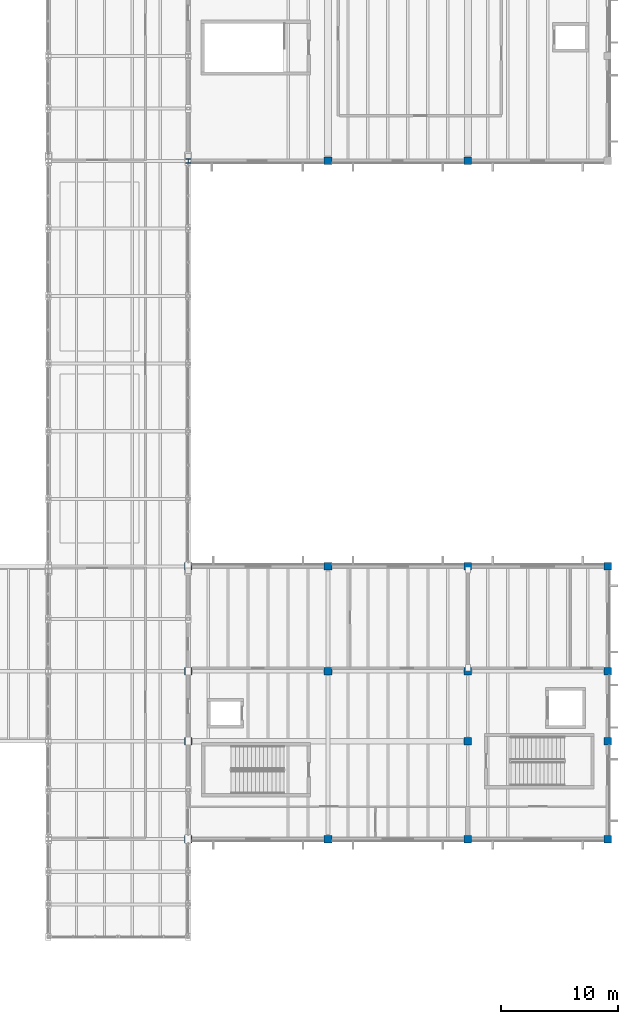
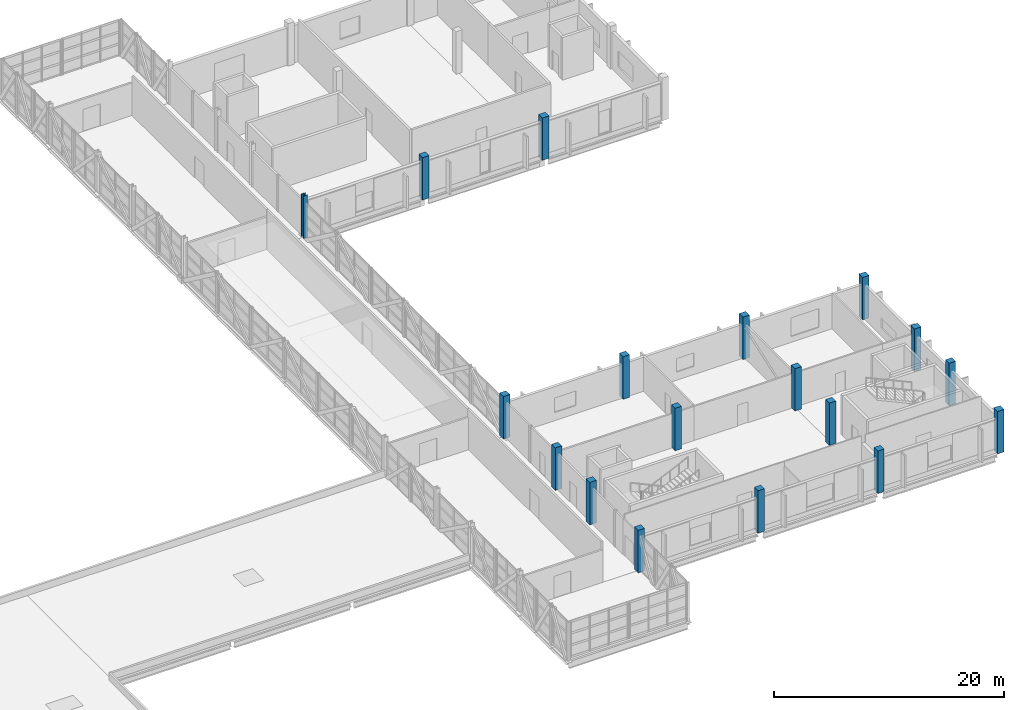
# One storey, part 4 of 63: 18 columns.
"""IFC4 building model written with IfcOpenShell, lengths in metres."""

import ifcopenshell
import ifcopenshell.guid

model = None  # the IFC model being written
_history = None  # IfcOwnerHistory: only IFC2X3 demands one
_inside = {}  # id of a spatial element -> (the spatial element, [elements in it])
_under = {}  # id of a project, library or spatial element -> (it, [spatial elements below it])
_declared = {}  # id of a project -> (the project, [libraries it declares])
_typed = {}  # id of a type object -> (the type object, [elements of that type])
_made_of = {}  # id of a material, layer set ... -> (it, [elements and type objects made of it])


def new_model(schema):
    """Start an empty IFC model of exactly this schema.

    Asked for "IFC4X3", IfcOpenShell would pick the latest addendum, in which some entities
    have other attributes; the version numbers below select the first issue.
    IFC2X3 requires an IfcOwnerHistory on every rooted entity: one is made here for all.
    """
    global model, _history
    if schema == "IFC4X3":
        model = ifcopenshell.file(schema_version=(4, 3, 0, 0))
    else:
        model = ifcopenshell.file(schema=schema)
    _inside.clear()
    _under.clear()
    _declared.clear()
    _typed.clear()
    _made_of.clear()
    _history = None
    if model.schema == "IFC2X3":
        org = make("IfcOrganization", Name="unknown")
        user = make(
            "IfcPersonAndOrganization",
            ThePerson=make("IfcPerson", FamilyName="unknown"),
            TheOrganization=org,
        )
        app = make(
            "IfcApplication",
            ApplicationDeveloper=org,
            Version="unknown",
            ApplicationFullName="unknown",
            ApplicationIdentifier="unknown",
        )
        _history = make(
            "IfcOwnerHistory",
            OwningUser=user,
            OwningApplication=app,
            ChangeAction="ADDED",
            CreationDate=0,
        )
    return model


def make(cls, **values):
    """One entity of the class cls with the attributes given. An attribute that is None is left unset."""
    return model.create_entity(
        cls, **{name: value for name, value in values.items() if value is not None}
    )


def rooted(cls, **values):
    """An entity with a GlobalId (a new one), such as an element, a storey or a relation."""
    return make(cls, GlobalId=ifcopenshell.guid.new(), OwnerHistory=_history, **values)


def si_unit(unit_type, name, prefix=None):
    """IfcSIUnit, for example si_unit("LENGTHUNIT", "METRE", prefix="MILLI")."""
    return make("IfcSIUnit", UnitType=unit_type, Prefix=prefix, Name=name)


def assignment(units):
    """IfcUnitAssignment: the units of a project."""
    return None if units is None else make("IfcUnitAssignment", Units=units)


def point(xyz):
    """IfcCartesianPoint."""
    return None if xyz is None else make("IfcCartesianPoint", Coordinates=xyz)


def direction(xyz):
    """IfcDirection."""
    return None if xyz is None else make("IfcDirection", DirectionRatios=xyz)


def frame(location, z_axis=None, x_axis=None):
    """IfcAxis2Placement3D, a coordinate frame: its origin and axes. An axis left out is left unset."""
    return make(
        "IfcAxis2Placement3D",
        Location=point(location),
        Axis=direction(z_axis),
        RefDirection=direction(x_axis),
    )


def frame_2d(location, x_axis=None):
    """IfcAxis2Placement2D, a coordinate frame in the plane: its origin and x axis."""
    return make(
        "IfcAxis2Placement2D", Location=point(location), RefDirection=direction(x_axis)
    )


def origin():
    """The frame at (0, 0, 0) with its axes left unset."""
    return frame((0.0, 0.0, 0.0))


def origin_2d():
    """The frame at (0, 0) in the plane with its x axis left unset."""
    return frame_2d((0.0, 0.0))


def place(relative_to, where):
    """IfcLocalPlacement: puts the frame where relative to a parent placement (None: the world)."""
    return make(
        "IfcLocalPlacement", PlacementRelTo=relative_to, RelativePlacement=where
    )


def context(
    kind, dimensions, precision=None, world=None, true_north=None, identifier=None
):
    """IfcGeometricRepresentationContext, for example the 3D "Model" context."""
    return make(
        "IfcGeometricRepresentationContext",
        ContextIdentifier=identifier,
        ContextType=kind,
        CoordinateSpaceDimension=dimensions,
        Precision=precision,
        WorldCoordinateSystem=world,
        TrueNorth=true_north,
    )


def subcontext(parent, identifier, kind, view, scale=None):
    """IfcGeometricRepresentationSubContext, for example "Body" below "Model"."""
    return make(
        "IfcGeometricRepresentationSubContext",
        ContextIdentifier=identifier,
        ContextType=kind,
        ParentContext=parent,
        TargetScale=scale,
        TargetView=view,
    )


def project(units=None, contexts=None):
    """IfcProject with its units and contexts."""
    return rooted(
        "IfcProject",
        Name="project",
        RepresentationContexts=contexts,
        UnitsInContext=assignment(units),
    )


def spatial(cls, under=None, at=None, **own):
    """A site, building, storey or space (cls), placed at a placement, below another one or the project."""
    s = rooted(cls, ObjectPlacement=at, **own)
    if under is not None:
        _under.setdefault(under.id(), (under, []))[1].append(s)
    return s


def profile(cls, at=None, kind="AREA", **sizes):
    """A parametric profile (cls). Its sizes go by their IFC names, for example OverallWidth=200.0."""
    return make(cls, ProfileType=kind, Position=at, **sizes)


def rectangle(**sizes):
    """IfcRectangleProfileDef."""
    return profile("IfcRectangleProfileDef", **sizes)


def i_section(**sizes):
    """IfcIShapeProfileDef."""
    return profile("IfcIShapeProfileDef", **sizes)


def extrude(swept, where, along, depth):
    """IfcExtrudedAreaSolid: the profile swept, set in the frame where, extruded along a direction by depth."""
    return make(
        "IfcExtrudedAreaSolid",
        SweptArea=swept,
        Position=where,
        ExtrudedDirection=direction(along),
        Depth=depth,
    )


def shape(context_of_items, identifier, shape_type, items):
    """IfcShapeRepresentation: the items that make up one representation, for example the "Body"."""
    return make(
        "IfcShapeRepresentation",
        ContextOfItems=context_of_items,
        RepresentationIdentifier=identifier,
        RepresentationType=shape_type,
        Items=items,
    )


def material(Name=None, Category=None):
    """IfcMaterial."""
    return make("IfcMaterial", Name=Name, Category=Category)


def material_profile(
    of_material, cross_section, Name=None, Category=None, Priority=None
):
    """IfcMaterialProfile: a cross section and its material."""
    return make(
        "IfcMaterialProfile",
        Name=Name,
        Material=of_material,
        Profile=cross_section,
        Priority=Priority,
        Category=Category,
    )


def profile_set(profiles, Name=None, composite=None):
    """IfcMaterialProfileSet."""
    return make(
        "IfcMaterialProfileSet",
        Name=Name,
        MaterialProfiles=profiles,
        CompositeProfile=composite,
    )


def made_of(thing, what):
    """Note that an element or type object is made of a material, layer set ...; save() writes the relation."""
    if what is not None:
        _made_of.setdefault(what.id(), (what, []))[1].append(thing)
    return thing


def type_object(cls, material=None, **own):
    """A type object (cls), such as IfcWallType, which elements share."""
    return made_of(rooted(cls, **own), material)


def element(
    cls,
    number,
    at=None,
    inside=None,
    cuts=None,
    type_object=None,
    material=None,
    context=None,
    identifier="Body",
    shape_type=None,
    held_by="IfcProductDefinitionShape",
    body=None,
    shapes=None,
    **own,
):
    """One element of the class cls, such as IfcWall. Its Tag is "e" and its number.

    at: its placement. inside: the storey or other place that contains it. cuts: it is an
    opening in that element (IfcRelVoidsElement). A single representation is given by context,
    identifier, shape_type and body (its items); several are given by shapes. held_by: the class
    of the entity that holds the representations. save() writes the other relations.
    """
    e = rooted(cls, Tag="e%d" % number, ObjectPlacement=at, **own)
    if body is not None:
        shapes = [shape(context, identifier, shape_type, body)]
    if shapes is not None:
        e.Representation = make(held_by, Representations=shapes)
    if inside is not None:
        _inside.setdefault(inside.id(), (inside, []))[1].append(e)
    if cuts is not None:
        rooted(
            "IfcRelVoidsElement", RelatingBuildingElement=cuts, RelatedOpeningElement=e
        )
    if type_object is not None:
        _typed.setdefault(type_object.id(), (type_object, []))[1].append(e)
    return made_of(e, material)


def aggregate(whole, parts):
    """IfcRelAggregates: a whole, such as a stair, and the parts it consists of."""
    return rooted("IfcRelAggregates", RelatingObject=whole, RelatedObjects=parts)


def save(model, path):
    """Write the relations noted so far, then the file.

    IfcRelAggregates (storeys below a building ...), IfcRelContainedInSpatialStructure (elements
    in a storey), IfcRelDefinesByType, IfcRelAssociatesMaterial and IfcRelDeclares: one each for
    every whole, place, type object, material and project.
    """
    for whole, parts in _under.values():
        aggregate(whole, parts)
    for where, things in _inside.values():
        rooted(
            "IfcRelContainedInSpatialStructure",
            RelatedElements=things,
            RelatingStructure=where,
        )
    for kind, things in _typed.values():
        rooted("IfcRelDefinesByType", RelatedObjects=things, RelatingType=kind)
    for what, things in _made_of.values():
        rooted("IfcRelAssociatesMaterial", RelatedObjects=things, RelatingMaterial=what)
    for by, libraries in _declared.values():
        rooted("IfcRelDeclares", RelatingContext=by, RelatedDefinitions=libraries)
    model.write(path)


model = new_model("IFC4")

# Units and contexts
model_context = context("Model", 3, precision=1e-05, world=origin(), true_north=direction((0.0, 1.0)))
body_context = subcontext(model_context, "Body", "Model", "MODEL_VIEW")
ifc_project = project(units=[si_unit("LENGTHUNIT", "METRE"), si_unit("AREAUNIT", "SQUARE_METRE"), si_unit("VOLUMEUNIT", "CUBIC_METRE"), si_unit("PLANEANGLEUNIT", "RADIAN"), si_unit("MASSUNIT", "GRAM", prefix="KILO")], contexts=[model_context])

# Site, building, storey
site_placement = place(None, origin())
site = spatial("IfcSite", under=ifc_project, at=site_placement, CompositionType="ELEMENT")
building_placement = place(site_placement, origin())
building = spatial("IfcBuilding", under=site, at=building_placement, Name="Kelmvaro Bay Concert Hall", CompositionType="ELEMENT")
storey_placement = place(building_placement, frame((0.0, 0.0, 13.800048828125)))
storey = spatial("IfcBuildingStorey", under=building, at=storey_placement, Name="L03", CompositionType="ELEMENT", Elevation=13.800048828125)

# Columns
ifc_material_1 = material(Name="Steel ASTM A992 Grade 50", Category="steel")
ifc_material_profile_1 = material_profile(ifc_material_1, i_section(OverallWidth=0.40087890625, OverallDepth=0.39404296875, WebThickness=0.022705078125, FlangeThickness=0.03662109375, at=origin_2d()), Name="W14X193")
ifc_profile_set_1 = profile_set([ifc_material_profile_1], Name="Steel ASTM A992 Grade 50")
column_type_1 = type_object("IfcColumnType", Name="Bridge Support Column W14x193", PredefinedType="COLUMN", material=ifc_profile_set_1)
column_placement = place(storey_placement, frame((132.0, 73.800048828125, 0.0), z_axis=(0.0, 0.0, 1.0), x_axis=(1.0, 0.0, 0.0)))
element("IfcColumn", 1, at=column_placement, inside=storey, type_object=column_type_1, Name="L03 Column V2B-132-738", PredefinedType="COLUMN", context=body_context, shape_type="SweptSolid", body=[
    extrude(i_section(OverallWidth=0.40087890625, OverallDepth=0.39404296875, WebThickness=0.022705078125, FlangeThickness=0.03662109375, at=origin_2d()), origin(), (0.0, 0.0, 1.0), 4.5),
])
ifc_material_2 = material(Name="Concrete C40/50", Category="concrete")
ifc_material_profile_2 = material_profile(ifc_material_2, rectangle(XDim=0.64990234375, YDim=0.64990234375, at=origin_2d()), Name="RC-COL-650X650")
ifc_profile_set_2 = profile_set([ifc_material_profile_2], Name="Concrete C40/50")
column_type_2 = type_object("IfcColumnType", Name="Upper Column RC650x650", PredefinedType="COLUMN", material=ifc_profile_set_2)
for number, where, z_axis, x_axis, name in (
    (2, (144.0, 73.800048828125, 0.0), (0.0, 0.0, 1.0), (1.0, 0.0, 0.0), "L03 Column V2P-144-738"),
    (3, (156.0, 73.800048828125, 0.0), (0.0, 0.0, 1.0), (1.0, 0.0, 0.0), "L03 Column V2P-156-738"),
    (4, (132.0, 15.60009765625, 0.0), (0.0, 0.0, 1.0), (1.0, 0.0, 0.0), "L03 Column V4W-132-156"),
    (5, (132.0, 24.0, 0.0), (0.0, 0.0, 1.0), (1.0, 0.0, 0.0), "L03 Column V4W-132-240"),
    (6, (132.0, 30.0, 0.0), (0.0, 0.0, 1.0), (1.0, 0.0, 0.0), "L03 Column V4W-132-300"),
    (7, (132.0, 39.0, 0.0), (0.0, 0.0, 1.0), (1.0, 0.0, 0.0), "L03 Column V4W-132-390"),
    (8, (144.0, 15.60009765625, 0.0), (0.0, 0.0, 1.0), (1.0, 0.0, 0.0), "L03 Column V4P-144-156"),
    (9, (144.0, 30.0, 0.0), (0.0, 0.0, 1.0), (1.0, 0.0, 0.0), "L03 Column V4P-144-300"),
    (10, (144.0, 39.0, 0.0), (0.0, 0.0, 1.0), (1.0, 0.0, 0.0), "L03 Column V4P-144-390"),
    (11, (156.0, 15.60009765625, 0.0), (0.0, 0.0, 1.0), (1.0, 0.0, 0.0), "L03 Column V4P-156-156"),
    (12, (156.0, 24.0, 0.0), (0.0, 0.0, 1.0), (1.0, 0.0, 0.0), "L03 Column V4P-156-240"),
    (13, (156.0, 30.0, 0.0), (0.0, 0.0, 1.0), (1.0, 0.0, 0.0), "L03 Column V4P-156-300"),
    (14, (156.0, 39.0, 0.0), (0.0, 0.0, 1.0), (1.0, 0.0, 0.0), "L03 Column V4P-156-390"),
    (15, (168.0, 15.60009765625, 0.0), (0.0, 0.0, 1.0), (1.0, 0.0, 0.0), "L03 Column V4P-168-156"),
    (16, (168.0, 24.0, 0.0), (0.0, 0.0, 1.0), (1.0, 0.0, 0.0), "L03 Column V4P-168-240"),
    (17, (168.0, 30.0, 0.0), (0.0, 0.0, 1.0), (1.0, 0.0, 0.0), "L03 Column V4P-168-300"),
    (18, (168.0, 39.0, 0.0), (0.0, 0.0, 1.0), (1.0, 0.0, 0.0), "L03 Column V4P-168-390"),
):
    element("IfcColumn", number, at=place(storey_placement, frame(where, z_axis=z_axis, x_axis=x_axis)), inside=storey, type_object=column_type_2, Name=name, PredefinedType="COLUMN", context=body_context, shape_type="SweptSolid", body=[
        extrude(rectangle(XDim=0.64990234375, YDim=0.64990234375, at=origin_2d()), origin(), (0.0, 0.0, 1.0), 4.5),
    ])

save(model, "model.ifc")
